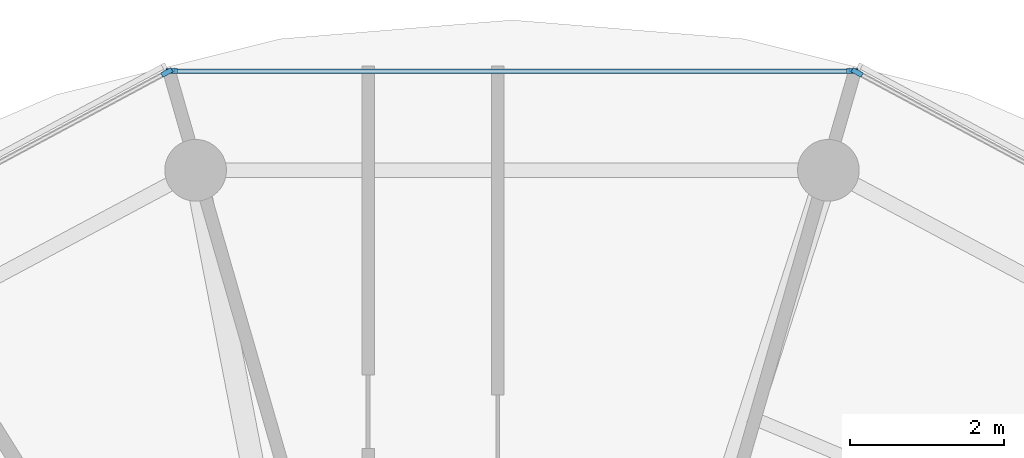
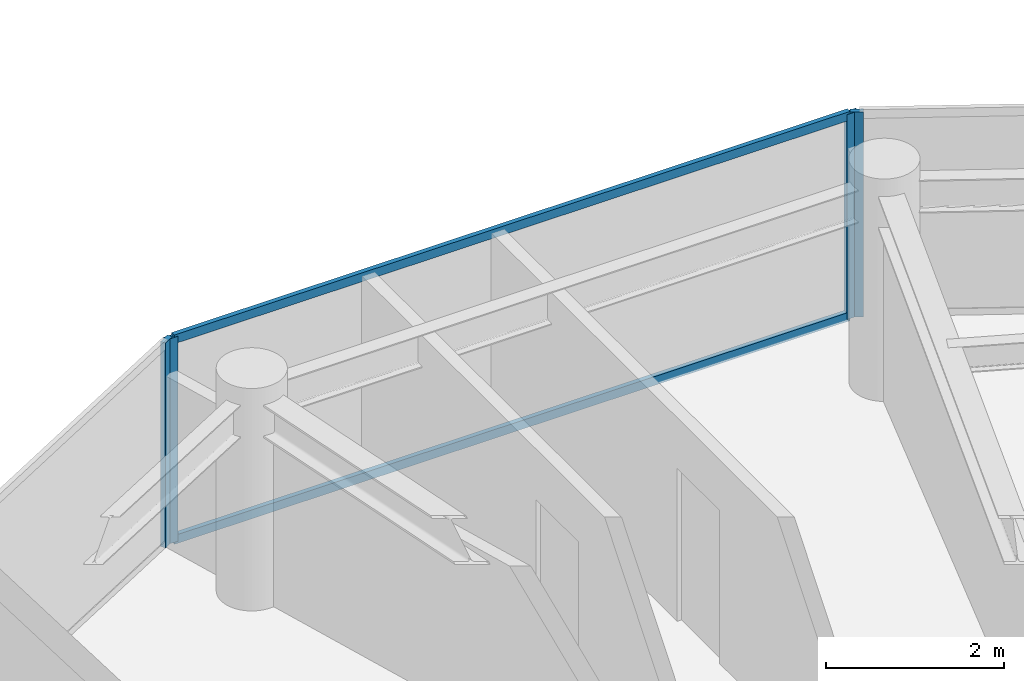
# One storey, part 9 of 23: 6 members, 3 elements without a shape of their own.
"""IFC4 building model written with IfcOpenShell, lengths in metres."""

import ifcopenshell
import ifcopenshell.guid

model = None  # the IFC model being written
_history = None  # IfcOwnerHistory: only IFC2X3 demands one
_inside = {}  # id of a spatial element -> (the spatial element, [elements in it])
_under = {}  # id of a project, library or spatial element -> (it, [spatial elements below it])
_declared = {}  # id of a project -> (the project, [libraries it declares])
_typed = {}  # id of a type object -> (the type object, [elements of that type])
_made_of = {}  # id of a material, layer set ... -> (it, [elements and type objects made of it])


def new_model(schema):
    """Start an empty IFC model of exactly this schema.

    Asked for "IFC4X3", IfcOpenShell would pick the latest addendum, in which some entities
    have other attributes; the version numbers below select the first issue.
    IFC2X3 requires an IfcOwnerHistory on every rooted entity: one is made here for all.
    """
    global model, _history
    if schema == "IFC4X3":
        model = ifcopenshell.file(schema_version=(4, 3, 0, 0))
    else:
        model = ifcopenshell.file(schema=schema)
    _inside.clear()
    _under.clear()
    _declared.clear()
    _typed.clear()
    _made_of.clear()
    _history = None
    if model.schema == "IFC2X3":
        org = make("IfcOrganization", Name="unknown")
        user = make(
            "IfcPersonAndOrganization",
            ThePerson=make("IfcPerson", FamilyName="unknown"),
            TheOrganization=org,
        )
        app = make(
            "IfcApplication",
            ApplicationDeveloper=org,
            Version="unknown",
            ApplicationFullName="unknown",
            ApplicationIdentifier="unknown",
        )
        _history = make(
            "IfcOwnerHistory",
            OwningUser=user,
            OwningApplication=app,
            ChangeAction="ADDED",
            CreationDate=0,
        )
    return model


def make(cls, **values):
    """One entity of the class cls with the attributes given. An attribute that is None is left unset."""
    return model.create_entity(
        cls, **{name: value for name, value in values.items() if value is not None}
    )


def rooted(cls, **values):
    """An entity with a GlobalId (a new one), such as an element, a storey or a relation."""
    return make(cls, GlobalId=ifcopenshell.guid.new(), OwnerHistory=_history, **values)


def si_unit(unit_type, name, prefix=None):
    """IfcSIUnit, for example si_unit("LENGTHUNIT", "METRE", prefix="MILLI")."""
    return make("IfcSIUnit", UnitType=unit_type, Prefix=prefix, Name=name)


def assignment(units):
    """IfcUnitAssignment: the units of a project."""
    return None if units is None else make("IfcUnitAssignment", Units=units)


def point(xyz):
    """IfcCartesianPoint."""
    return None if xyz is None else make("IfcCartesianPoint", Coordinates=xyz)


def direction(xyz):
    """IfcDirection."""
    return None if xyz is None else make("IfcDirection", DirectionRatios=xyz)


def frame(location, z_axis=None, x_axis=None):
    """IfcAxis2Placement3D, a coordinate frame: its origin and axes. An axis left out is left unset."""
    return make(
        "IfcAxis2Placement3D",
        Location=point(location),
        Axis=direction(z_axis),
        RefDirection=direction(x_axis),
    )


def frame_2d(location, x_axis=None):
    """IfcAxis2Placement2D, a coordinate frame in the plane: its origin and x axis."""
    return make(
        "IfcAxis2Placement2D", Location=point(location), RefDirection=direction(x_axis)
    )


def origin():
    """The frame at (0, 0, 0) with its axes left unset."""
    return frame((0.0, 0.0, 0.0))


def origin_2d():
    """The frame at (0, 0) in the plane with its x axis left unset."""
    return frame_2d((0.0, 0.0))


def place(relative_to, where):
    """IfcLocalPlacement: puts the frame where relative to a parent placement (None: the world)."""
    return make(
        "IfcLocalPlacement", PlacementRelTo=relative_to, RelativePlacement=where
    )


def context(
    kind, dimensions, precision=None, world=None, true_north=None, identifier=None
):
    """IfcGeometricRepresentationContext, for example the 3D "Model" context."""
    return make(
        "IfcGeometricRepresentationContext",
        ContextIdentifier=identifier,
        ContextType=kind,
        CoordinateSpaceDimension=dimensions,
        Precision=precision,
        WorldCoordinateSystem=world,
        TrueNorth=true_north,
    )


def subcontext(parent, identifier, kind, view, scale=None):
    """IfcGeometricRepresentationSubContext, for example "Body" below "Model"."""
    return make(
        "IfcGeometricRepresentationSubContext",
        ContextIdentifier=identifier,
        ContextType=kind,
        ParentContext=parent,
        TargetScale=scale,
        TargetView=view,
    )


def project(units=None, contexts=None):
    """IfcProject with its units and contexts."""
    return rooted(
        "IfcProject",
        Name="project",
        RepresentationContexts=contexts,
        UnitsInContext=assignment(units),
    )


def spatial(cls, under=None, at=None, **own):
    """A site, building, storey or space (cls), placed at a placement, below another one or the project."""
    s = rooted(cls, ObjectPlacement=at, **own)
    if under is not None:
        _under.setdefault(under.id(), (under, []))[1].append(s)
    return s


def profile(cls, at=None, kind="AREA", **sizes):
    """A parametric profile (cls). Its sizes go by their IFC names, for example OverallWidth=200.0."""
    return make(cls, ProfileType=kind, Position=at, **sizes)


def rectangle(**sizes):
    """IfcRectangleProfileDef."""
    return profile("IfcRectangleProfileDef", **sizes)


def extrude(swept, where, along, depth):
    """IfcExtrudedAreaSolid: the profile swept, set in the frame where, extruded along a direction by depth."""
    return make(
        "IfcExtrudedAreaSolid",
        SweptArea=swept,
        Position=where,
        ExtrudedDirection=direction(along),
        Depth=depth,
    )


def shape(context_of_items, identifier, shape_type, items):
    """IfcShapeRepresentation: the items that make up one representation, for example the "Body"."""
    return make(
        "IfcShapeRepresentation",
        ContextOfItems=context_of_items,
        RepresentationIdentifier=identifier,
        RepresentationType=shape_type,
        Items=items,
    )


def source(mapping_origin, context_of_items, identifier, shape_type, items):
    """IfcRepresentationMap: a shape defined once, which mapped items show again and again."""
    return make(
        "IfcRepresentationMap",
        MappingOrigin=mapping_origin,
        MappedRepresentation=shape(context_of_items, identifier, shape_type, items),
    )


def transform(
    local_origin,
    x_axis=None,
    y_axis=None,
    z_axis=None,
    scale=None,
    scale2=None,
    scale3=None,
    uniform=True,
):
    """IfcCartesianTransformationOperator3D, or its non-uniform kind. x_axis, y_axis, z_axis: its Axis1, 2, 3."""
    if uniform:
        return make(
            "IfcCartesianTransformationOperator3D",
            Axis1=direction(x_axis),
            Axis2=direction(y_axis),
            LocalOrigin=point(local_origin),
            Scale=scale,
            Axis3=direction(z_axis),
        )
    return make(
        "IfcCartesianTransformationOperator3DnonUniform",
        Axis1=direction(x_axis),
        Axis2=direction(y_axis),
        LocalOrigin=point(local_origin),
        Scale=scale,
        Axis3=direction(z_axis),
        Scale2=scale2,
        Scale3=scale3,
    )


def mapped(mapping_source, mapping_target):
    """IfcMappedItem: shows the shape of a source again, moved by a transform."""
    return make(
        "IfcMappedItem", MappingSource=mapping_source, MappingTarget=mapping_target
    )


def material(Name=None, Category=None):
    """IfcMaterial."""
    return make("IfcMaterial", Name=Name, Category=Category)


def layer(
    of_material, thickness, ventilated=None, Name=None, Category=None, Priority=None
):
    """IfcMaterialLayer: one layer of a wall or slab, of a material (None: an air gap)."""
    return make(
        "IfcMaterialLayer",
        Material=of_material,
        LayerThickness=thickness,
        IsVentilated=ventilated,
        Name=Name,
        Category=Category,
        Priority=Priority,
    )


def layer_set(layers, Name=None):
    """IfcMaterialLayerSet."""
    return make("IfcMaterialLayerSet", MaterialLayers=layers, LayerSetName=Name)


def material_profile(
    of_material, cross_section, Name=None, Category=None, Priority=None
):
    """IfcMaterialProfile: a cross section and its material."""
    return make(
        "IfcMaterialProfile",
        Name=Name,
        Material=of_material,
        Profile=cross_section,
        Priority=Priority,
        Category=Category,
    )


def profile_set(profiles, Name=None, composite=None):
    """IfcMaterialProfileSet."""
    return make(
        "IfcMaterialProfileSet",
        Name=Name,
        MaterialProfiles=profiles,
        CompositeProfile=composite,
    )


def made_of(thing, what):
    """Note that an element or type object is made of a material, layer set ...; save() writes the relation."""
    if what is not None:
        _made_of.setdefault(what.id(), (what, []))[1].append(thing)
    return thing


def type_object(cls, material=None, **own):
    """A type object (cls), such as IfcWallType, which elements share."""
    return made_of(rooted(cls, **own), material)


def type_shapes(of_type, sources):
    """Give a type object the sources (RepresentationMaps) that its elements show as mapped items."""
    of_type.RepresentationMaps = sources


def element(
    cls,
    number,
    at=None,
    inside=None,
    cuts=None,
    type_object=None,
    material=None,
    context=None,
    identifier="Body",
    shape_type=None,
    held_by="IfcProductDefinitionShape",
    body=None,
    shapes=None,
    **own,
):
    """One element of the class cls, such as IfcWall. Its Tag is "e" and its number.

    at: its placement. inside: the storey or other place that contains it. cuts: it is an
    opening in that element (IfcRelVoidsElement). A single representation is given by context,
    identifier, shape_type and body (its items); several are given by shapes. held_by: the class
    of the entity that holds the representations. save() writes the other relations.
    """
    e = rooted(cls, Tag="e%d" % number, ObjectPlacement=at, **own)
    if body is not None:
        shapes = [shape(context, identifier, shape_type, body)]
    if shapes is not None:
        e.Representation = make(held_by, Representations=shapes)
    if inside is not None:
        _inside.setdefault(inside.id(), (inside, []))[1].append(e)
    if cuts is not None:
        rooted(
            "IfcRelVoidsElement", RelatingBuildingElement=cuts, RelatedOpeningElement=e
        )
    if type_object is not None:
        _typed.setdefault(type_object.id(), (type_object, []))[1].append(e)
    return made_of(e, material)


def aggregate(whole, parts):
    """IfcRelAggregates: a whole, such as a stair, and the parts it consists of."""
    return rooted("IfcRelAggregates", RelatingObject=whole, RelatedObjects=parts)


def save(model, path):
    """Write the relations noted so far, then the file.

    IfcRelAggregates (storeys below a building ...), IfcRelContainedInSpatialStructure (elements
    in a storey), IfcRelDefinesByType, IfcRelAssociatesMaterial and IfcRelDeclares: one each for
    every whole, place, type object, material and project.
    """
    for whole, parts in _under.values():
        aggregate(whole, parts)
    for where, things in _inside.values():
        rooted(
            "IfcRelContainedInSpatialStructure",
            RelatedElements=things,
            RelatingStructure=where,
        )
    for kind, things in _typed.values():
        rooted("IfcRelDefinesByType", RelatedObjects=things, RelatingType=kind)
    for what, things in _made_of.values():
        rooted("IfcRelAssociatesMaterial", RelatedObjects=things, RelatingMaterial=what)
    for by, libraries in _declared.values():
        rooted("IfcRelDeclares", RelatingContext=by, RelatedDefinitions=libraries)
    model.write(path)


model = new_model("IFC4")

# Units and contexts
model_context = context("Model", 3, precision=1e-05, world=origin(), true_north=direction((0.0, 1.0)))
body_context = subcontext(model_context, "Body", "Model", "MODEL_VIEW")
ifc_project = project(units=[si_unit("LENGTHUNIT", "METRE"), si_unit("AREAUNIT", "SQUARE_METRE"), si_unit("VOLUMEUNIT", "CUBIC_METRE"), si_unit("PLANEANGLEUNIT", "RADIAN"), si_unit("MASSUNIT", "GRAM", prefix="KILO")], contexts=[model_context])

# Site, building, storey
site_placement = place(None, origin())
site = spatial("IfcSite", under=ifc_project, at=site_placement, CompositionType="ELEMENT")
building_placement = place(site_placement, origin())
building = spatial("IfcBuilding", under=site, at=building_placement, Name="Norrkilde Senior Care Towers", CompositionType="ELEMENT")
storey_placement = place(building_placement, frame((0.0, 0.0, 158.699951171875)))
storey = spatial("IfcBuildingStorey", under=building, at=storey_placement, Name="L49", CompositionType="ELEMENT", Elevation=158.699951171875)

# Curtain wall, member
ifc_material_1 = material(Name="Triple Low-E Insulated Glazing", Category="glass")
ifc_layer = layer(ifc_material_1, 0.18994140625)
ifc_layer_set = layer_set([ifc_layer], Name="Triple Low-E Insulated Glazing")
curtain_wall_type = type_object("IfcCurtainWallType", Name="CW4 Zone 3 Senior Residence Curtain Wall", PredefinedType="NOTDEFINED", material=ifc_layer_set)
curtain_wall_1_placement = place(storey_placement, origin())
curtain_wall_1 = element("IfcCurtainWall", 1, at=curtain_wall_1_placement, inside=storey, type_object=curtain_wall_type, Name="L49 Drum W Curtain Wall 01", PredefinedType="NOTDEFINED")
ifc_material_2 = material(Name="Anodised Aluminium", Category="aluminium")
ifc_material_profile_1 = material_profile(ifc_material_2, rectangle(XDim=0.06494140625, YDim=0.14990234375, at=origin_2d()), Name="ALU MULL 65x150")
ifc_profile_set_1 = profile_set([ifc_material_profile_1], Name="Anodised Aluminium")
member_type_1 = type_object("IfcMemberType", Name="Curtain Wall Mullion Z3-Z4 65x150", PredefinedType="MULLION", material=ifc_profile_set_1)
shared_shape_1 = source(origin(), body_context, "Body", "SweptSolid", [
    extrude(rectangle(XDim=0.06494140625, YDim=0.14990234375, at=origin_2d()), origin(), (0.0, 0.0, 1.0), 2.81005859375),
])
type_shapes(member_type_1, [shared_shape_1])
member_1_placement = place(storey_placement, frame((-22.499755859375, 17.195556640625, 0.0), z_axis=(0.0, 0.0, 1.0), x_axis=(0.47311715104, 0.880999524059, 0.0)))
member_1 = element("IfcMember", 2, at=member_1_placement, type_object=member_type_1, Name="CW-4 mullion 1", PredefinedType="MULLION", context=body_context, shape_type="MappedRepresentation", body=[
    mapped(shared_shape_1, transform((0.0, 0.0, 0.0), x_axis=(1.0, 0.0, 0.0), y_axis=(0.0, 1.0, 0.0), z_axis=(0.0, 0.0, 1.0), scale=1.0)),
])
aggregate(curtain_wall_1, [member_1])

# Curtain wall, members
curtain_wall_2_placement = place(storey_placement, origin())
curtain_wall_2 = element("IfcCurtainWall", 3, at=curtain_wall_2_placement, inside=storey, type_object=curtain_wall_type, Name="L49 Drum W Curtain Wall 02", PredefinedType="NOTDEFINED")
member_2_placement = place(storey_placement, frame((-31.388916015625, 17.2109375, 0.0), z_axis=(0.0, 0.0, 1.0), x_axis=(0.0, 1.0, 0.0)))
member_2 = element("IfcMember", 4, at=member_2_placement, type_object=member_type_1, Name="CW-4 mullion 1", PredefinedType="MULLION", context=body_context, shape_type="MappedRepresentation", body=[
    mapped(shared_shape_1, transform((0.0, 0.0, 0.0), x_axis=(1.0, 0.0, 0.0), y_axis=(0.0, 1.0, 0.0), z_axis=(0.0, 0.0, 1.0), scale=1.0)),
])
member_3_placement = place(storey_placement, frame((-22.56103515625, 17.2109375, 0.0), z_axis=(0.0, 0.0, 1.0), x_axis=(0.0, 1.0, 0.0)))
member_3 = element("IfcMember", 5, at=member_3_placement, type_object=member_type_1, Name="CW-4 mullion 2", PredefinedType="MULLION", context=body_context, shape_type="MappedRepresentation", body=[
    mapped(shared_shape_1, transform((0.0, 0.0, 0.0), x_axis=(1.0, 0.0, 0.0), y_axis=(0.0, 1.0, 0.0), z_axis=(0.0, 0.0, 1.0), scale=1.0)),
])

# Curtain wall, member
curtain_wall_3_placement = place(storey_placement, origin())
curtain_wall_3 = element("IfcCurtainWall", 6, at=curtain_wall_3_placement, inside=storey, type_object=curtain_wall_type, Name="L49 Drum W Curtain Wall 03", PredefinedType="NOTDEFINED")
member_4_placement = place(storey_placement, frame((-31.4501953125, 17.195556640625, 0.0), z_axis=(0.0, 0.0, 1.0), x_axis=(-0.47311715104, 0.880999524059, 0.0)))
member_4 = element("IfcMember", 7, at=member_4_placement, type_object=member_type_1, Name="CW-4 mullion 2", PredefinedType="MULLION", context=body_context, shape_type="MappedRepresentation", body=[
    mapped(shared_shape_1, transform((0.0, 0.0, 0.0), x_axis=(1.0, 0.0, 0.0), y_axis=(0.0, 1.0, 0.0), z_axis=(0.0, 0.0, 1.0), scale=1.0)),
])
aggregate(curtain_wall_3, [member_4])

# Member
ifc_material_profile_2 = material_profile(ifc_material_2, rectangle(XDim=0.06005859375, YDim=0.1201171875, at=origin_2d()), Name="ALU TRAN 60x120")
ifc_profile_set_2 = profile_set([ifc_material_profile_2], Name="Anodised Aluminium")
member_type_2 = type_object("IfcMemberType", Name="Curtain Wall Transom Typical 60x120", PredefinedType="USERDEFINED", material=ifc_profile_set_2)
shared_shape_2 = source(origin(), body_context, "Body", "SweptSolid", [
    extrude(rectangle(XDim=0.06005859375, YDim=0.1201171875, at=origin_2d()), origin(), (0.0, 0.0, 1.0), 8.762939453125),
])
type_shapes(member_type_2, [shared_shape_2])
member_5_placement = place(storey_placement, frame((-31.3564453125, 17.2109375, 0.030029296875), z_axis=(1.0, 0.0, 0.0), x_axis=(0.0, 1.0, 0.0)))
member_5 = element("IfcMember", 8, at=member_5_placement, type_object=member_type_2, Name="CW-4 transom 1.1", ObjectType="TRANSOM", PredefinedType="USERDEFINED", context=body_context, shape_type="MappedRepresentation", body=[
    mapped(shared_shape_2, transform((0.0, 0.0, 0.0), x_axis=(1.0, 0.0, 0.0), y_axis=(0.0, 1.0, 0.0), z_axis=(0.0, 0.0, 1.0), scale=1.0)),
])

member_6_placement = place(storey_placement, frame((-31.3564453125, 17.2109375, 2.780029296875), z_axis=(1.0, 0.0, 0.0), x_axis=(0.0, 1.0, 0.0)))
member_6 = element("IfcMember", 9, at=member_6_placement, type_object=member_type_2, Name="CW-4 transom 1.2", ObjectType="TRANSOM", PredefinedType="USERDEFINED", context=body_context, shape_type="MappedRepresentation", body=[
    mapped(shared_shape_2, transform((0.0, 0.0, 0.0), x_axis=(1.0, 0.0, 0.0), y_axis=(0.0, 1.0, 0.0), z_axis=(0.0, 0.0, 1.0), scale=1.0)),
])

aggregate(curtain_wall_2, [member_2, member_3, member_5, member_6])

save(model, "model.ifc")
